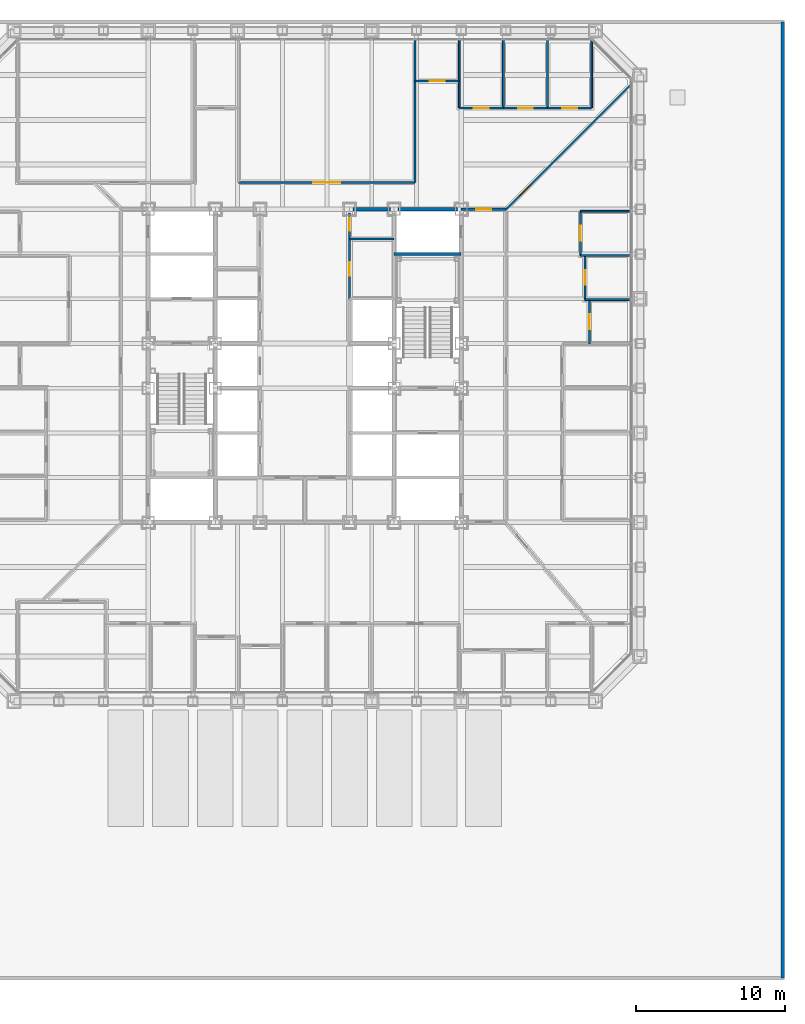
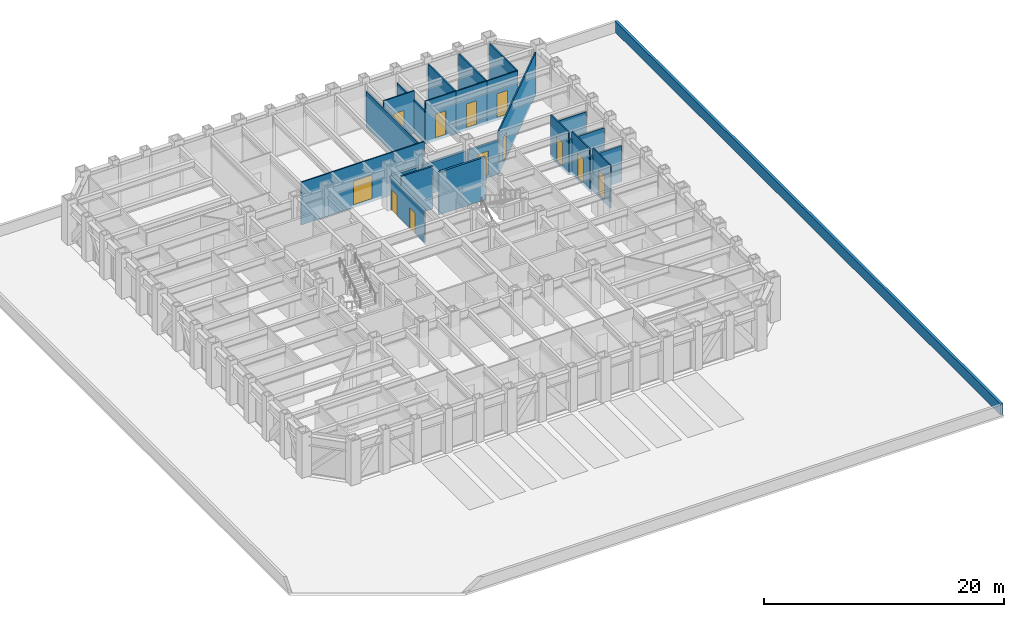
# One storey, part 12 of 18: 24 walls, 12 doors, 12 openings.
"""IFC4 building model written with IfcOpenShell, lengths in metres."""

from ifc_helpers import new_model, si_unit, direction, frame, frame_2d, origin, place, context, subcontext, project, spatial, rectangle, extrude, material, layer, layer_set, type_object, element, fill, save


model = new_model("IFC4")

# Units and contexts
model_context = context("Model", 3, precision=1e-05, world=origin(), true_north=direction((0.0, 1.0)))
body_context = subcontext(model_context, "Body", "Model", "MODEL_VIEW")
ifc_project = project(units=[si_unit("LENGTHUNIT", "METRE"), si_unit("AREAUNIT", "SQUARE_METRE"), si_unit("VOLUMEUNIT", "CUBIC_METRE"), si_unit("PLANEANGLEUNIT", "RADIAN"), si_unit("MASSUNIT", "GRAM", prefix="KILO")], contexts=[model_context])

# Site, building, storey
site_placement = place(None, origin())
site = spatial("IfcSite", under=ifc_project, at=site_placement, CompositionType="ELEMENT")
building_placement = place(site_placement, origin())
building = spatial("IfcBuilding", under=site, at=building_placement, Name="Chuquiago Exchange Tower", CompositionType="ELEMENT")
storey_placement = place(building_placement, frame((0.0, 0.0, 24.300048828125)))
storey = spatial("IfcBuildingStorey", under=building, at=storey_placement, Name="L04", CompositionType="ELEMENT", Elevation=24.300048828125)

# Walls
ifc_material_1 = material(Name="Concrete masonry, fully grouted", Category="masonry")
ifc_layer_1 = layer(ifc_material_1, 0.25)
ifc_layer_set_1 = layer_set([ifc_layer_1], Name="W1 core wall 250")
wall_type_1 = type_object("IfcWallType", Name="W1 core wall 250", PredefinedType="SOLIDWALL", material=ifc_layer_set_1)
wall_1_placement = place(storey_placement, frame((25.75, 33.0, 0.0), z_axis=(0.0, 0.0, 1.0), x_axis=(1.0, 0.0, 0.0)))
element("IfcWall", 1, at=wall_1_placement, inside=storey, type_object=wall_type_1, Name="CW-L04-12-0", PredefinedType="SOLIDWALL", context=body_context, shape_type="SweptSolid", body=[
    extrude(rectangle(XDim=2.5, YDim=0.25, at=frame_2d((1.25, 0.0))), origin(), (0.0, 0.0, 1.0), 3.181396484375),
])
wall_2_placement = place(storey_placement, frame((28.75, 33.0, 0.0), z_axis=(0.0, 0.0, 1.0), x_axis=(1.0, 0.0, 0.0)))
element("IfcWall", 2, at=wall_2_placement, inside=storey, type_object=wall_type_1, Name="CW-L04-12-1", PredefinedType="SOLIDWALL", context=body_context, shape_type="SweptSolid", body=[
    extrude(rectangle(XDim=4.0, YDim=0.25, at=frame_2d((2.0, 0.0))), origin(), (0.0, 0.0, 1.0), 3.181396484375),
])

# Wall, opening, door
ifc_material_2 = material(Name="Gypsum board on steel studs, acoustic insulation", Category="steel")
ifc_layer_2 = layer(ifc_material_2, 0.14990234375)
ifc_layer_set_2 = layer_set([ifc_layer_2], Name="W11 corridor wall 150")
wall_type_2 = type_object("IfcWallType", Name="W11 corridor wall 150", PredefinedType="PARTITIONING", material=ifc_layer_set_2)
wall_3_placement = place(storey_placement, frame((33.0, 33.0, -0.300048828125), z_axis=(0.0, 0.0, 1.0), x_axis=(1.0, 0.0, 0.0)))
wall_3 = element("IfcWall", 3, at=wall_3_placement, inside=storey, type_object=wall_type_2, Name="PW-L04-GEN0", PredefinedType="PARTITIONING", context=body_context, shape_type="SweptSolid", body=[
    extrude(rectangle(XDim=3.0, YDim=0.14990234375, at=frame_2d((1.5, 0.0))), origin(), (0.0, 0.0, 1.0), 3.4814453125),
])
opening_1_placement = place(wall_3_placement, frame((1.0, 0.0, 0.300048828125)))
opening_1 = element("IfcOpeningElement", 4, at=opening_1_placement, cuts=wall_3, Name="Opening L04-054", PredefinedType="OPENING", context=body_context, shape_type="SweptSolid", body=[
    extrude(rectangle(XDim=1.0, YDim=2.39990234375, at=frame_2d((0.5, 1.199951171875))), frame((0.0, 0.0849609375, 0.0), z_axis=(0.0, -1.0, 0.0), x_axis=(1.0, 0.0, 0.0)), (0.0, 0.0, 1.0), 0.169921875),
])
ifc_material_3 = material(Name="Timber door, laminate faced", Category="wood")
door_type_1 = type_object("IfcDoorType", Name="D9 room door 1000x2400", OperationType="SINGLE_SWING_LEFT", PredefinedType="DOOR", material=ifc_material_3)
door_1_placement = place(opening_1_placement, origin())
door_1 = element("IfcDoor", 5, at=door_1_placement, inside=storey, type_object=door_type_1, Name="Team area door", OperationType="SINGLE_SWING_LEFT", OverallHeight=2.39990234375, OverallWidth=1.0, PredefinedType="DOOR", context=body_context, shape_type="SweptSolid", body=[
    extrude(rectangle(XDim=1.0, YDim=2.39990234375, at=frame_2d((0.5, 1.199951171875))), frame((0.0, 0.02490234375, 0.0), z_axis=(0.0, -1.0, 0.0), x_axis=(1.0, 0.0, 0.0)), (0.0, 0.0, 1.0), 0.050048828125),
])
fill(opening_1, door_1)

# Wall
ifc_material_4 = material(Name="Concrete masonry, fully grouted", Category="masonry")
ifc_layer_3 = layer(ifc_material_4, 0.199951171875)
ifc_layer_set_3 = layer_set([ifc_layer_3], Name="W2 shaft wall 200")
wall_type_3 = type_object("IfcWallType", Name="W2 shaft wall 200", PredefinedType="SOLIDWALL", material=ifc_layer_set_3)
wall_4_placement = place(storey_placement, frame((28.5, 30.0, 0.0), z_axis=(0.0, 0.0, 1.0), x_axis=(1.0, 0.0, 0.0)))
element("IfcWall", 6, at=wall_4_placement, inside=storey, type_object=wall_type_3, Name="CW-L04-10-0", PredefinedType="SOLIDWALL", context=body_context, shape_type="SweptSolid", body=[
    extrude(rectangle(XDim=4.5, YDim=0.199951171875, at=frame_2d((2.25, 0.0))), origin(), (0.0, 0.0, 1.0), 4.33984375),
])

# Wall, openings, doors
ifc_material_5 = material(Name="Gypsum board on steel studs", Category="steel")
ifc_layer_4 = layer(ifc_material_5, 0.14990234375)
ifc_layer_set_4 = layer_set([ifc_layer_4], Name="W3 core partition 150")
wall_type_4 = type_object("IfcWallType", Name="W3 core partition 150", PredefinedType="PARTITIONING", material=ifc_layer_set_4)
wall_5_placement = place(storey_placement, frame((25.5, 27.0, 0.0), z_axis=(0.0, 0.0, 1.0), x_axis=(0.0, 1.0, 0.0)))
wall_5 = element("IfcWall", 7, at=wall_5_placement, inside=storey, type_object=wall_type_4, Name="CW-L04-23-0", PredefinedType="PARTITIONING", context=body_context, shape_type="SweptSolid", body=[
    extrude(rectangle(XDim=5.75, YDim=0.14990234375, at=frame_2d((2.875, 0.0))), origin(), (0.0, 0.0, 1.0), 3.364501953125),
])
opening_2_placement = place(wall_5_placement, frame((1.550048828125, 0.0, 0.0)))
opening_2 = element("IfcOpeningElement", 8, at=opening_2_placement, cuts=wall_5, Name="Opening L04-013", PredefinedType="OPENING", context=body_context, shape_type="SweptSolid", body=[
    extrude(rectangle(XDim=0.89990234375, YDim=2.10009765625, at=frame_2d((0.449951171875, 1.050048828125))), frame((0.0, 0.0849609375, 0.0), z_axis=(0.0, -1.0, 0.0), x_axis=(1.0, 0.0, 0.0)), (0.0, 0.0, 1.0), 0.169921875),
])
opening_3_placement = place(wall_5_placement, frame((4.550048828125, 0.0, 0.0)))
opening_3 = element("IfcOpeningElement", 9, at=opening_3_placement, cuts=wall_5, Name="Opening L04-014", PredefinedType="OPENING", context=body_context, shape_type="SweptSolid", body=[
    extrude(rectangle(XDim=0.89990234375, YDim=2.10009765625, at=frame_2d((0.449951171875, 1.050048828125))), frame((0.0, 0.0849609375, 0.0), z_axis=(0.0, -1.0, 0.0), x_axis=(1.0, 0.0, 0.0)), (0.0, 0.0, 1.0), 0.169921875),
])
ifc_material_6 = material(Name="Timber door, laminate faced", Category="wood")
door_type_2 = type_object("IfcDoorType", Name="D16 core room door 900x2100", OperationType="SINGLE_SWING_LEFT", PredefinedType="DOOR", material=ifc_material_6)
door_2_placement = place(opening_3_placement, frame((0.89990234375, 0.0, 0.0), z_axis=(0.0, 0.0, 1.0), x_axis=(-1.0, 0.0, 0.0)))
door_2 = element("IfcDoor", 10, at=door_2_placement, inside=storey, type_object=door_type_2, Name="Staff shower room door", OperationType="SINGLE_SWING_LEFT", OverallHeight=2.10009765625, OverallWidth=0.89990234375, PredefinedType="DOOR", context=body_context, shape_type="SweptSolid", body=[
    extrude(rectangle(XDim=0.89990234375, YDim=2.10009765625, at=frame_2d((0.449951171875, 1.050048828125))), frame((0.0, 0.02490234375, 0.0), z_axis=(0.0, -1.0, 0.0), x_axis=(1.0, 0.0, 0.0)), (0.0, 0.0, 1.0), 0.050048828125),
])
fill(opening_3, door_2)
ifc_material_7 = material(Name="Timber door, laminate faced", Category="wood")
door_type_3 = type_object("IfcDoorType", Name="D7 toilet door 900x2100", OperationType="SINGLE_SWING_LEFT", PredefinedType="DOOR", material=ifc_material_7)
door_3_placement = place(opening_2_placement, frame((0.89990234375, 0.0, 0.0), z_axis=(0.0, 0.0, 1.0), x_axis=(-1.0, 0.0, 0.0)))
door_3 = element("IfcDoor", 11, at=door_3_placement, inside=storey, type_object=door_type_3, Name="Female WC door", OperationType="SINGLE_SWING_RIGHT", OverallHeight=2.10009765625, OverallWidth=0.89990234375, PredefinedType="DOOR", context=body_context, shape_type="SweptSolid", body=[
    extrude(rectangle(XDim=0.89990234375, YDim=2.10009765625, at=frame_2d((0.449951171875, 1.050048828125))), frame((0.0, 0.02490234375, 0.0), z_axis=(0.0, -1.0, 0.0), x_axis=(1.0, 0.0, 0.0)), (0.0, 0.0, 1.0), 0.050048828125),
])
fill(opening_2, door_3)

# Walls
wall_6_placement = place(storey_placement, frame((25.5, 31.0, 0.0), z_axis=(0.0, 0.0, 1.0), x_axis=(1.0, 0.0, 0.0)))
element("IfcWall", 12, at=wall_6_placement, inside=storey, type_object=wall_type_4, Name="CW-L04-WCFS", PredefinedType="PARTITIONING", context=body_context, shape_type="SweptSolid", body=[
    extrude(rectangle(XDim=3.0, YDim=0.14990234375, at=frame_2d((1.5, 0.0))), origin(), (0.0, 0.0, 1.0), 4.33984375),
])
ifc_material_8 = material(Name="Gypsum board on steel studs", Category="steel")
ifc_layer_5 = layer(ifc_material_8, 0.1201171875)
ifc_layer_set_5 = layer_set([ifc_layer_5], Name="W4 partition 120")
wall_type_5 = type_object("IfcWallType", Name="W4 partition 120", PredefinedType="PARTITIONING", material=ifc_layer_set_5)
wall_7_placement = place(storey_placement, frame((44.342529296875, 26.942626953125, -0.300048828125), z_axis=(0.0, 0.0, 1.0), x_axis=(-1.0, 0.0, 0.0)))
element("IfcWall", 13, at=wall_7_placement, inside=storey, type_object=wall_type_5, Name="PW-L04-E02694", PredefinedType="PARTITIONING", context=body_context, shape_type="SweptSolid", body=[
    extrude(rectangle(XDim=3.04248046875, YDim=0.1201171875, at=frame_2d((1.521240234375, 0.0))), origin(), (0.0, 0.0, 1.0), 3.646484375),
])
wall_8_placement = place(storey_placement, frame((44.342529296875, 29.904296875, -0.300048828125), z_axis=(0.0, 0.0, 1.0), x_axis=(-1.0, 0.0, 0.0)))
element("IfcWall", 14, at=wall_8_placement, inside=storey, type_object=wall_type_5, Name="PW-L04-E02990", PredefinedType="PARTITIONING", context=body_context, shape_type="SweptSolid", body=[
    extrude(rectangle(XDim=3.342529296875, YDim=0.1201171875, at=frame_2d((1.67138671875, 0.0))), origin(), (0.0, 0.0, 1.0), 3.646484375),
])
wall_9_placement = place(storey_placement, frame((44.342529296875, 32.8662109375, -0.300048828125), z_axis=(0.0, 0.0, 1.0), x_axis=(-1.0, 0.0, 0.0)))
element("IfcWall", 15, at=wall_9_placement, inside=storey, type_object=wall_type_5, Name="PW-L04-E03287", PredefinedType="PARTITIONING", context=body_context, shape_type="SweptSolid", body=[
    extrude(rectangle(XDim=3.342529296875, YDim=0.1201171875, at=frame_2d((1.67138671875, 0.0))), origin(), (0.0, 0.0, 1.0), 3.4814453125),
])

# Wall, opening, door
wall_10_placement = place(storey_placement, frame((41.60009765625, 23.98095703125, -0.300048828125), z_axis=(0.0, 0.0, 1.0), x_axis=(0.0, 1.0, 0.0)))
wall_10 = element("IfcWall", 16, at=wall_10_placement, inside=storey, type_object=wall_type_5, Name="PW-L04-EF02398", PredefinedType="PARTITIONING", context=body_context, shape_type="SweptSolid", body=[
    extrude(rectangle(XDim=2.961669921875, YDim=0.1201171875, at=frame_2d((1.48095703125, 0.0))), origin(), (0.0, 0.0, 1.0), 4.340087890625),
])
opening_4_placement = place(wall_10_placement, frame((0.98095703125, 0.0, 0.300048828125)))
opening_4 = element("IfcOpeningElement", 17, at=opening_4_placement, cuts=wall_10, Name="Opening L04-036", PredefinedType="OPENING", context=body_context, shape_type="SweptSolid", body=[
    extrude(rectangle(XDim=1.0, YDim=2.39990234375, at=frame_2d((0.5, 1.199951171875))), frame((0.0, 0.070068359375, 0.0), z_axis=(0.0, -1.0, 0.0), x_axis=(1.0, 0.0, 0.0)), (0.0, 0.0, 1.0), 0.14013671875),
])
ifc_material_9 = material(Name="Timber frame door, full height glazed panel", Category="wood")
door_type_4 = type_object("IfcDoorType", Name="D14 glazed meeting room door 1000x2400", OperationType="SINGLE_SWING_LEFT", PredefinedType="DOOR", material=ifc_material_9)
door_4_placement = place(opening_4_placement, frame((1.0, 0.0, 0.0), z_axis=(0.0, 0.0, 1.0), x_axis=(-1.0, 0.0, 0.0)))
door_4 = element("IfcDoor", 18, at=door_4_placement, inside=storey, type_object=door_type_4, Name="Focus room door", OperationType="SINGLE_SWING_LEFT", OverallHeight=2.39990234375, OverallWidth=1.0, PredefinedType="DOOR", context=body_context, shape_type="SweptSolid", body=[
    extrude(rectangle(XDim=1.0, YDim=2.39990234375, at=frame_2d((0.5, 1.199951171875))), frame((0.0, 0.02490234375, 0.0), z_axis=(0.0, -1.0, 0.0), x_axis=(1.0, 0.0, 0.0)), (0.0, 0.0, 1.0), 0.050048828125),
])
fill(opening_4, door_4)

wall_11_placement = place(storey_placement, frame((41.300048828125, 26.942626953125, -0.300048828125), z_axis=(0.0, 0.0, 1.0), x_axis=(0.0, 1.0, 0.0)))
wall_11 = element("IfcWall", 19, at=wall_11_placement, inside=storey, type_object=wall_type_5, Name="PW-L04-EF02694", PredefinedType="PARTITIONING", context=body_context, shape_type="SweptSolid", body=[
    extrude(rectangle(XDim=2.961669921875, YDim=0.1201171875, at=frame_2d((1.48095703125, 0.0))), origin(), (0.0, 0.0, 1.0), 4.340087890625),
])
opening_5_placement = place(wall_11_placement, frame((0.98095703125, 0.0, 0.300048828125)))
opening_5 = element("IfcOpeningElement", 20, at=opening_5_placement, cuts=wall_11, Name="Opening L04-037", PredefinedType="OPENING", context=body_context, shape_type="SweptSolid", body=[
    extrude(rectangle(XDim=1.0, YDim=2.39990234375, at=frame_2d((0.5, 1.199951171875))), frame((0.0, 0.070068359375, 0.0), z_axis=(0.0, -1.0, 0.0), x_axis=(1.0, 0.0, 0.0)), (0.0, 0.0, 1.0), 0.14013671875),
])
door_5_placement = place(opening_5_placement, frame((1.0, 0.0, 0.0), z_axis=(0.0, 0.0, 1.0), x_axis=(-1.0, 0.0, 0.0)))
door_5 = element("IfcDoor", 21, at=door_5_placement, inside=storey, type_object=door_type_1, Name="Store door", OperationType="SINGLE_SWING_RIGHT", OverallHeight=2.39990234375, OverallWidth=1.0, PredefinedType="DOOR", context=body_context, shape_type="SweptSolid", body=[
    extrude(rectangle(XDim=1.0, YDim=2.39990234375, at=frame_2d((0.5, 1.199951171875))), frame((0.0, 0.02490234375, 0.0), z_axis=(0.0, -1.0, 0.0), x_axis=(1.0, 0.0, 0.0)), (0.0, 0.0, 1.0), 0.050048828125),
])
fill(opening_5, door_5)

wall_12_placement = place(storey_placement, frame((41.0, 29.904296875, -0.300048828125), z_axis=(0.0, 0.0, 1.0), x_axis=(0.0, 1.0, 0.0)))
wall_12 = element("IfcWall", 22, at=wall_12_placement, inside=storey, type_object=wall_type_5, Name="PW-L04-EF02990", PredefinedType="PARTITIONING", context=body_context, shape_type="SweptSolid", body=[
    extrude(rectangle(XDim=2.9619140625, YDim=0.1201171875, at=frame_2d((1.48095703125, 0.0))), origin(), (0.0, 0.0, 1.0), 4.340087890625),
])
opening_6_placement = place(wall_12_placement, frame((0.98095703125, 0.0, 0.300048828125)))
opening_6 = element("IfcOpeningElement", 23, at=opening_6_placement, cuts=wall_12, Name="Opening L04-038", PredefinedType="OPENING", context=body_context, shape_type="SweptSolid", body=[
    extrude(rectangle(XDim=1.0, YDim=2.39990234375, at=frame_2d((0.5, 1.199951171875))), frame((0.0, 0.070068359375, 0.0), z_axis=(0.0, -1.0, 0.0), x_axis=(1.0, 0.0, 0.0)), (0.0, 0.0, 1.0), 0.14013671875),
])
door_6_placement = place(opening_6_placement, frame((1.0, 0.0, 0.0), z_axis=(0.0, 0.0, 1.0), x_axis=(-1.0, 0.0, 0.0)))
door_6 = element("IfcDoor", 24, at=door_6_placement, inside=storey, type_object=door_type_1, Name="Pantry door", OperationType="SINGLE_SWING_RIGHT", OverallHeight=2.39990234375, OverallWidth=1.0, PredefinedType="DOOR", context=body_context, shape_type="SweptSolid", body=[
    extrude(rectangle(XDim=1.0, YDim=2.39990234375, at=frame_2d((0.5, 1.199951171875))), frame((0.0, 0.02490234375, 0.0), z_axis=(0.0, -1.0, 0.0), x_axis=(1.0, 0.0, 0.0)), (0.0, 0.0, 1.0), 0.050048828125),
])
fill(opening_6, door_6)

# Walls
wall_13_placement = place(storey_placement, frame((29.904296875, 44.342529296875, -0.300048828125), z_axis=(0.0, 0.0, 1.0), x_axis=(0.0, -1.0, 0.0)))
element("IfcWall", 25, at=wall_13_placement, inside=storey, type_object=wall_type_5, Name="PW-L04-N02990", PredefinedType="PARTITIONING", context=body_context, shape_type="SweptSolid", body=[
    extrude(rectangle(XDim=9.54248046875, YDim=0.1201171875, at=frame_2d((4.771240234375, 0.0))), origin(), (0.0, 0.0, 1.0), 3.646484375),
])
wall_14_placement = place(storey_placement, frame((32.8662109375, 44.342529296875, -0.300048828125), z_axis=(0.0, 0.0, 1.0), x_axis=(0.0, -1.0, 0.0)))
element("IfcWall", 26, at=wall_14_placement, inside=storey, type_object=wall_type_5, Name="PW-L04-N03287", PredefinedType="PARTITIONING", context=body_context, shape_type="SweptSolid", body=[
    extrude(rectangle(XDim=4.54248046875, YDim=0.1201171875, at=frame_2d((2.271240234375, 0.0))), origin(), (0.0, 0.0, 1.0), 3.4814453125),
])
for number, where, z_axis, x_axis, name in (
    (27, (35.827880859375, 44.342529296875, -0.300048828125), (0.0, 0.0, 1.0), (0.0, -1.0, 0.0), "PW-L04-N03583"),
    (28, (38.789794921875, 44.342529296875, -0.300048828125), (0.0, 0.0, 1.0), (0.0, -1.0, 0.0), "PW-L04-N03879"),
):
    element("IfcWall", number, at=place(storey_placement, frame(where, z_axis=z_axis, x_axis=x_axis)), inside=storey, type_object=wall_type_5, Name=name, PredefinedType="PARTITIONING", context=body_context, shape_type="SweptSolid", body=[
        extrude(rectangle(XDim=4.54248046875, YDim=0.1201171875, at=frame_2d((2.271240234375, 0.0))), origin(), (0.0, 0.0, 1.0), 4.340087890625),
    ])
wall_15_placement = place(storey_placement, frame((41.75146484375, 44.333984375, -0.300048828125), z_axis=(0.0, 0.0, 1.0), x_axis=(0.0, -1.0, 0.0)))
element("IfcWall", 29, at=wall_15_placement, inside=storey, type_object=wall_type_5, Name="PW-L04-N04175", PredefinedType="PARTITIONING", context=body_context, shape_type="SweptSolid", body=[
    extrude(rectangle(XDim=4.533935546875, YDim=0.1201171875, at=frame_2d((2.26708984375, 0.0))), origin(), (0.0, 0.0, 1.0), 4.340087890625),
])

# Wall, opening, door
wall_16_placement = place(storey_placement, frame((18.057373046875, 34.800048828125, -0.300048828125), z_axis=(0.0, 0.0, 1.0), x_axis=(1.0, 0.0, 0.0)))
wall_16 = element("IfcWall", 30, at=wall_16_placement, inside=storey, type_object=wall_type_5, Name="PW-L04-NF01806", PredefinedType="PARTITIONING", context=body_context, shape_type="SweptSolid", body=[
    extrude(rectangle(XDim=11.846923828125, YDim=0.1201171875, at=frame_2d((5.92333984375, 0.0))), origin(), (0.0, 0.0, 1.0), 4.340087890625),
])
opening_7_placement = place(wall_16_placement, frame((5.0234375, 0.0, 0.300048828125)))
opening_7 = element("IfcOpeningElement", 31, at=opening_7_placement, cuts=wall_16, Name="Opening L04-041", PredefinedType="OPENING", context=body_context, shape_type="SweptSolid", body=[
    extrude(rectangle(XDim=1.800048828125, YDim=2.39990234375, at=frame_2d((0.89990234375, 1.199951171875))), frame((0.0, 0.070068359375, 0.0), z_axis=(0.0, -1.0, 0.0), x_axis=(1.0, 0.0, 0.0)), (0.0, 0.0, 1.0), 0.14013671875),
])
ifc_material_10 = material(Name="Timber door pair, laminate faced", Category="wood")
door_type_5 = type_object("IfcDoorType", Name="D15 double room door 1800x2400", OperationType="DOUBLE_DOOR_DOUBLE_SWING", PredefinedType="DOOR", material=ifc_material_10)
door_7_placement = place(opening_7_placement, origin())
door_7 = element("IfcDoor", 32, at=door_7_placement, inside=storey, type_object=door_type_5, Name="Trading room door", OperationType="DOUBLE_DOOR_DOUBLE_SWING", OverallHeight=2.39990234375, OverallWidth=1.800048828125, PredefinedType="DOOR", context=body_context, shape_type="SweptSolid", body=[
    extrude(rectangle(XDim=1.800048828125, YDim=2.39990234375, at=frame_2d((0.89990234375, 1.199951171875))), frame((0.0, 0.02490234375, 0.0), z_axis=(0.0, -1.0, 0.0), x_axis=(1.0, 0.0, 0.0)), (0.0, 0.0, 1.0), 0.050048828125),
])
fill(opening_7, door_7)

wall_17_placement = place(storey_placement, frame((29.904296875, 41.60009765625, -0.300048828125), z_axis=(0.0, 0.0, 1.0), x_axis=(1.0, 0.0, 0.0)))
wall_17 = element("IfcWall", 33, at=wall_17_placement, inside=storey, type_object=wall_type_5, Name="PW-L04-NF02990", PredefinedType="PARTITIONING", context=body_context, shape_type="SweptSolid", body=[
    extrude(rectangle(XDim=2.9619140625, YDim=0.1201171875, at=frame_2d((1.48095703125, 0.0))), origin(), (0.0, 0.0, 1.0), 4.340087890625),
])
opening_8_placement = place(wall_17_placement, frame((0.98095703125, 0.0, 0.300048828125)))
opening_8 = element("IfcOpeningElement", 34, at=opening_8_placement, cuts=wall_17, Name="Opening L04-042", PredefinedType="OPENING", context=body_context, shape_type="SweptSolid", body=[
    extrude(rectangle(XDim=1.0, YDim=2.39990234375, at=frame_2d((0.5, 1.199951171875))), frame((0.0, 0.070068359375, 0.0), z_axis=(0.0, -1.0, 0.0), x_axis=(1.0, 0.0, 0.0)), (0.0, 0.0, 1.0), 0.14013671875),
])
door_8_placement = place(opening_8_placement, origin())
door_8 = element("IfcDoor", 35, at=door_8_placement, inside=storey, type_object=door_type_4, Name="Focus room door", OperationType="SINGLE_SWING_LEFT", OverallHeight=2.39990234375, OverallWidth=1.0, PredefinedType="DOOR", context=body_context, shape_type="SweptSolid", body=[
    extrude(rectangle(XDim=1.0, YDim=2.39990234375, at=frame_2d((0.5, 1.199951171875))), frame((0.0, 0.02490234375, 0.0), z_axis=(0.0, -1.0, 0.0), x_axis=(1.0, 0.0, 0.0)), (0.0, 0.0, 1.0), 0.050048828125),
])
fill(opening_8, door_8)

wall_18_placement = place(storey_placement, frame((32.8662109375, 39.800048828125, -0.300048828125), z_axis=(0.0, 0.0, 1.0), x_axis=(1.0, 0.0, 0.0)))
wall_18 = element("IfcWall", 36, at=wall_18_placement, inside=storey, type_object=wall_type_5, Name="PW-L04-NF03287", PredefinedType="PARTITIONING", context=body_context, shape_type="SweptSolid", body=[
    extrude(rectangle(XDim=2.961669921875, YDim=0.1201171875, at=frame_2d((1.48095703125, 0.0))), origin(), (0.0, 0.0, 1.0), 4.340087890625),
])
opening_9_placement = place(wall_18_placement, frame((0.98095703125, 0.0, 0.300048828125)))
opening_9 = element("IfcOpeningElement", 37, at=opening_9_placement, cuts=wall_18, Name="Opening L04-043", PredefinedType="OPENING", context=body_context, shape_type="SweptSolid", body=[
    extrude(rectangle(XDim=1.0, YDim=2.39990234375, at=frame_2d((0.5, 1.199951171875))), frame((0.0, 0.070068359375, 0.0), z_axis=(0.0, -1.0, 0.0), x_axis=(1.0, 0.0, 0.0)), (0.0, 0.0, 1.0), 0.14013671875),
])
door_9_placement = place(opening_9_placement, origin())
door_9 = element("IfcDoor", 38, at=door_9_placement, inside=storey, type_object=door_type_1, Name="Office door", OperationType="SINGLE_SWING_RIGHT", OverallHeight=2.39990234375, OverallWidth=1.0, PredefinedType="DOOR", context=body_context, shape_type="SweptSolid", body=[
    extrude(rectangle(XDim=1.0, YDim=2.39990234375, at=frame_2d((0.5, 1.199951171875))), frame((0.0, 0.02490234375, 0.0), z_axis=(0.0, -1.0, 0.0), x_axis=(1.0, 0.0, 0.0)), (0.0, 0.0, 1.0), 0.050048828125),
])
fill(opening_9, door_9)

wall_19_placement = place(storey_placement, frame((35.827880859375, 39.800048828125, -0.300048828125), z_axis=(0.0, 0.0, 1.0), x_axis=(1.0, 0.0, 0.0)))
wall_19 = element("IfcWall", 39, at=wall_19_placement, inside=storey, type_object=wall_type_5, Name="PW-L04-NF03583", PredefinedType="PARTITIONING", context=body_context, shape_type="SweptSolid", body=[
    extrude(rectangle(XDim=2.9619140625, YDim=0.1201171875, at=frame_2d((1.48095703125, 0.0))), origin(), (0.0, 0.0, 1.0), 4.340087890625),
])
opening_10_placement = place(wall_19_placement, frame((0.98095703125, 0.0, 0.300048828125)))
opening_10 = element("IfcOpeningElement", 40, at=opening_10_placement, cuts=wall_19, Name="Opening L04-044", PredefinedType="OPENING", context=body_context, shape_type="SweptSolid", body=[
    extrude(rectangle(XDim=1.0, YDim=2.39990234375, at=frame_2d((0.5, 1.199951171875))), frame((0.0, 0.070068359375, 0.0), z_axis=(0.0, -1.0, 0.0), x_axis=(1.0, 0.0, 0.0)), (0.0, 0.0, 1.0), 0.14013671875),
])
door_10_placement = place(opening_10_placement, origin())
door_10 = element("IfcDoor", 41, at=door_10_placement, inside=storey, type_object=door_type_1, Name="Office door", OperationType="SINGLE_SWING_LEFT", OverallHeight=2.39990234375, OverallWidth=1.0, PredefinedType="DOOR", context=body_context, shape_type="SweptSolid", body=[
    extrude(rectangle(XDim=1.0, YDim=2.39990234375, at=frame_2d((0.5, 1.199951171875))), frame((0.0, 0.02490234375, 0.0), z_axis=(0.0, -1.0, 0.0), x_axis=(1.0, 0.0, 0.0)), (0.0, 0.0, 1.0), 0.050048828125),
])
fill(opening_10, door_10)

wall_20_placement = place(storey_placement, frame((38.789794921875, 39.800048828125, -0.300048828125), z_axis=(0.0, 0.0, 1.0), x_axis=(1.0, 0.0, 0.0)))
wall_20 = element("IfcWall", 42, at=wall_20_placement, inside=storey, type_object=wall_type_5, Name="PW-L04-NF03879", PredefinedType="PARTITIONING", context=body_context, shape_type="SweptSolid", body=[
    extrude(rectangle(XDim=2.961669921875, YDim=0.1201171875, at=frame_2d((1.48095703125, 0.0))), origin(), (0.0, 0.0, 1.0), 4.340087890625),
])
opening_11_placement = place(wall_20_placement, frame((0.98095703125, 0.0, 0.300048828125)))
opening_11 = element("IfcOpeningElement", 43, at=opening_11_placement, cuts=wall_20, Name="Opening L04-045", PredefinedType="OPENING", context=body_context, shape_type="SweptSolid", body=[
    extrude(rectangle(XDim=1.0, YDim=2.39990234375, at=frame_2d((0.5, 1.199951171875))), frame((0.0, 0.070068359375, 0.0), z_axis=(0.0, -1.0, 0.0), x_axis=(1.0, 0.0, 0.0)), (0.0, 0.0, 1.0), 0.14013671875),
])
door_11_placement = place(opening_11_placement, origin())
door_11 = element("IfcDoor", 44, at=door_11_placement, inside=storey, type_object=door_type_4, Name="Meeting room door", OperationType="SINGLE_SWING_RIGHT", OverallHeight=2.39990234375, OverallWidth=1.0, PredefinedType="DOOR", context=body_context, shape_type="SweptSolid", body=[
    extrude(rectangle(XDim=1.0, YDim=2.39990234375, at=frame_2d((0.5, 1.199951171875))), frame((0.0, 0.02490234375, 0.0), z_axis=(0.0, -1.0, 0.0), x_axis=(1.0, 0.0, 0.0)), (0.0, 0.0, 1.0), 0.050048828125),
])
fill(opening_11, door_11)

wall_21_placement = place(storey_placement, frame((36.0, 33.0, -0.300048828125), z_axis=(0.0, 0.0, 1.0), x_axis=(0.707106781187, 0.707106781187, 0.0)))
wall_21 = element("IfcWall", 45, at=wall_21_placement, inside=storey, type_object=wall_type_5, Name="PW-L04-QNE", PredefinedType="PARTITIONING", context=body_context, shape_type="SweptSolid", body=[
    extrude(rectangle(XDim=11.84228515625, YDim=0.1201171875, at=frame_2d((5.921142578125, 0.0))), origin(), (0.0, 0.0, 1.0), 4.340087890625),
])
opening_12_placement = place(wall_21_placement, frame((1.300048828125, 0.0, 0.300048828125)))
opening_12 = element("IfcOpeningElement", 46, at=opening_12_placement, cuts=wall_21, Name="Opening L04-056", PredefinedType="OPENING", context=body_context, shape_type="SweptSolid", body=[
    extrude(rectangle(XDim=1.0, YDim=2.39990234375, at=frame_2d((0.5, 1.199951171875))), frame((0.0, 0.070068359375, 0.0), z_axis=(0.0, -1.0, 0.0), x_axis=(1.0, 0.0, 0.0)), (0.0, 0.0, 1.0), 0.14013671875),
])
door_12_placement = place(opening_12_placement, origin())
door_12 = element("IfcDoor", 47, at=door_12_placement, inside=storey, type_object=door_type_1, Name="Team area door", OperationType="SINGLE_SWING_LEFT", OverallHeight=2.39990234375, OverallWidth=1.0, PredefinedType="DOOR", context=body_context, shape_type="SweptSolid", body=[
    extrude(rectangle(XDim=1.0, YDim=2.39990234375, at=frame_2d((0.5, 1.199951171875))), frame((0.0, 0.02490234375, 0.0), z_axis=(0.0, -1.0, 0.0), x_axis=(1.0, 0.0, 0.0)), (0.0, 0.0, 1.0), 0.050048828125),
])
fill(opening_12, door_12)

# Wall
ifc_material_11 = material(Name="Concrete C30/37", Category="concrete")
ifc_layer_6 = layer(ifc_material_11, 0.25)
ifc_layer_set_6 = layer_set([ifc_layer_6], Name="W7 parapet 250")
wall_type_6 = type_object("IfcWallType", Name="W7 parapet 250", PredefinedType="PARAPET", material=ifc_layer_set_6)
wall_22_placement = place(storey_placement, frame((54.574951171875, -18.574951171875, 0.0), z_axis=(0.0, 0.0, 1.0), x_axis=(0.0, 1.0, 0.0)))
element("IfcWall", 48, at=wall_22_placement, inside=storey, type_object=wall_type_6, Name="Podium roof parapet", PredefinedType="PARAPET", context=body_context, shape_type="SweptSolid", body=[
    extrude(rectangle(XDim=64.14990234375, YDim=0.25, at=frame_2d((32.074951171875, 0.0))), origin(), (0.0, 0.0, 1.0), 1.099853515625),
])

save(model, "model.ifc")
